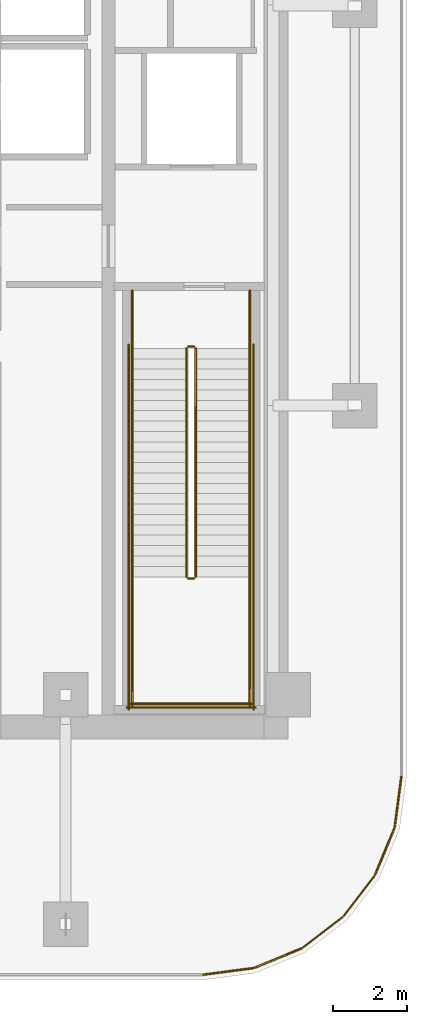
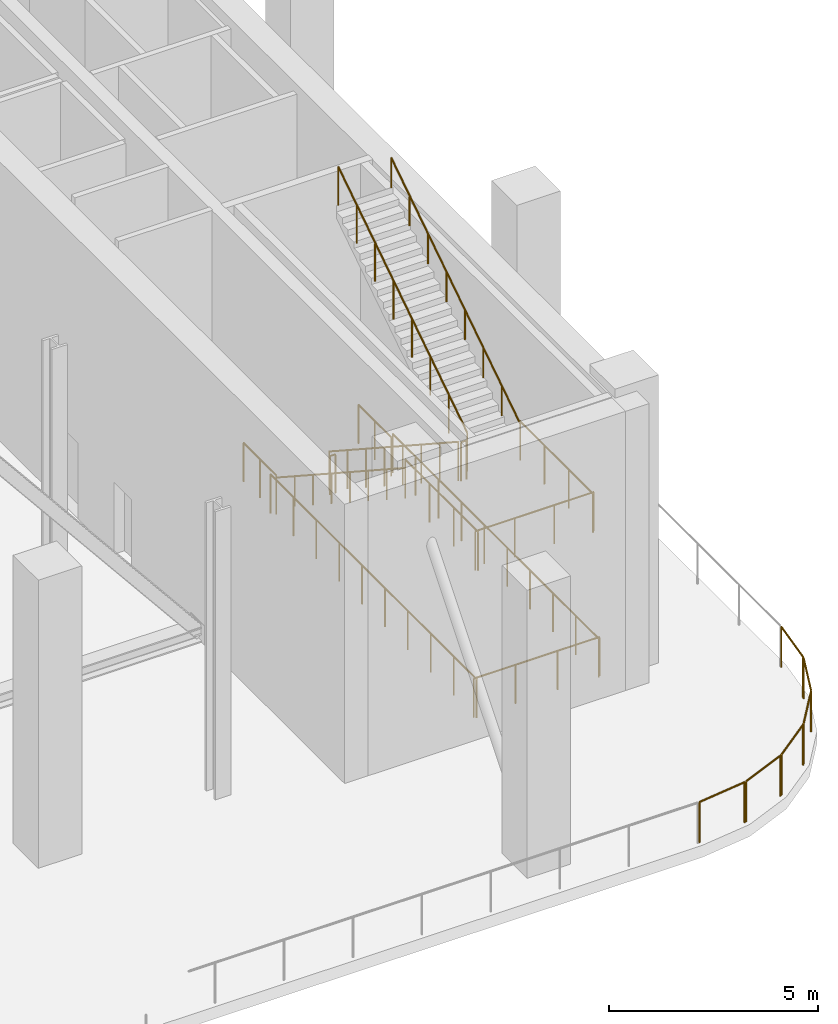
# One storey, part 10 of 13: 20 railings.
"""IFC4 building model written with IfcOpenShell, lengths in metres."""

from ifc_helpers import new_model, si_unit, direction, frame, origin, origin_2d, place, context, subcontext, project, spatial, circle, extrude, material, type_object, element, save


model = new_model("IFC4")

# Units and contexts
model_context = context("Model", 3, precision=1e-05, world=origin(), true_north=direction((0.0, 1.0)))
body_context = subcontext(model_context, "Body", "Model", "MODEL_VIEW")
ifc_project = project(units=[si_unit("LENGTHUNIT", "METRE"), si_unit("AREAUNIT", "SQUARE_METRE"), si_unit("VOLUMEUNIT", "CUBIC_METRE"), si_unit("PLANEANGLEUNIT", "RADIAN"), si_unit("MASSUNIT", "GRAM", prefix="KILO")], contexts=[model_context])

# Site, building, storey
site_placement = place(None, origin())
site = spatial("IfcSite", under=ifc_project, at=site_placement, CompositionType="ELEMENT")
building_placement = place(site_placement, origin())
building = spatial("IfcBuilding", under=site, at=building_placement, Name="Khairoan Windgate Tower", CompositionType="ELEMENT")
storey_placement = place(building_placement, frame((0.0, 0.0, 152.0)))
storey = spatial("IfcBuildingStorey", under=building, at=storey_placement, Name="L35", CompositionType="ELEMENT", Elevation=152.0)

# Railings
ifc_material_1 = material(Name="Anodised Bronze Aluminium 6063-T6", Category="aluminium")
railing_type_1 = type_object("IfcRailingType", Name="Aerodynamic Bronze-and-Glass Balustrade BAL-1200", PredefinedType="BALUSTRADE", material=ifc_material_1)
railing_1_placement = place(storey_placement, frame((23.456787109375, -20.815673828125, 0.0)))
element("IfcRailing", 1, at=railing_1_placement, inside=storey, type_object=railing_type_1, Name="L35 Wind-Slot Portal Perimeter Balustrade 23", PredefinedType="BALUSTRADE", context=body_context, shape_type="SweptSolid", body=[
    extrude(circle(Radius=0.02392578125, at=origin_2d()), frame((0.0, 0.0, 1.17578125), z_axis=(-0.130514966859, -0.991446339156, 0.0), x_axis=(0.991446339156, -0.130514966859, 0.0)), (0.0, 0.0, 1.0), 1.358154296875),
    extrude(circle(Radius=0.02099609375, at=origin_2d()), origin(), (0.0, 0.0, 1.0), 1.15185546875),
    extrude(circle(Radius=0.02099609375, at=origin_2d()), frame((-0.17724609375, -1.346435546875, 0.0)), (0.0, 0.0, 1.0), 1.15185546875),
])
railing_2_placement = place(storey_placement, frame((23.2666015625, -22.210205078125, 0.0)))
element("IfcRailing", 2, at=railing_2_placement, inside=storey, type_object=railing_type_1, Name="L35 Wind-Slot Portal Perimeter Balustrade 24", PredefinedType="BALUSTRADE", context=body_context, shape_type="SweptSolid", body=[
    extrude(circle(Radius=0.02392578125, at=origin_2d()), frame((0.0, 0.0, 1.17578125), z_axis=(-0.382660871212, -0.923888877324, 0.0), x_axis=(0.923888877324, -0.382660871212, 0.0)), (0.0, 0.0, 1.0), 1.3486328125),
    extrude(circle(Radius=0.02099609375, at=origin_2d()), origin(), (0.0, 0.0, 1.0), 1.15185546875),
    extrude(circle(Radius=0.02099609375, at=origin_2d()), frame((-0.51611328125, -1.24609375, 0.0)), (0.0, 0.0, 1.0), 1.15185546875),
])
railing_3_placement = place(storey_placement, frame((22.7255859375, -23.499267578125, 0.0)))
element("IfcRailing", 3, at=railing_3_placement, inside=storey, type_object=railing_type_1, Name="L35 Wind-Slot Portal Perimeter Balustrade 25", PredefinedType="BALUSTRADE", context=body_context, shape_type="SweptSolid", body=[
    extrude(circle(Radius=0.02392578125, at=origin_2d()), frame((0.0, 0.0, 1.17578125), z_axis=(-0.608651893578, -0.793437377771, 0.0), x_axis=(0.793437377771, -0.608651893578, 0.0)), (0.0, 0.0, 1.0), 1.348876953125),
    extrude(circle(Radius=0.02099609375, at=origin_2d()), origin(), (0.0, 0.0, 1.0), 1.15185546875),
    extrude(circle(Radius=0.02099609375, at=origin_2d()), frame((-0.821044921875, -1.0703125, 0.0)), (0.0, 0.0, 1.0), 1.15185546875),
])
railing_4_placement = place(storey_placement, frame((21.869384765625, -24.6044921875, 0.0)))
element("IfcRailing", 4, at=railing_4_placement, inside=storey, type_object=railing_type_1, Name="L35 Wind-Slot Portal Perimeter Balustrade 26", PredefinedType="BALUSTRADE", context=body_context, shape_type="SweptSolid", body=[
    extrude(circle(Radius=0.02392578125, at=origin_2d()), frame((0.0, 0.0, 1.17578125), z_axis=(-0.793370316216, -0.608739304914, 0.0), x_axis=(0.608739304914, -0.793370316216, 0.0)), (0.0, 0.0, 1.0), 1.348876953125),
    extrude(circle(Radius=0.02099609375, at=origin_2d()), origin(), (0.0, 0.0, 1.0), 1.15185546875),
    extrude(circle(Radius=0.02099609375, at=origin_2d()), frame((-1.070068359375, -0.821044921875, 0.0)), (0.0, 0.0, 1.0), 1.15185546875),
])
railing_5_placement = place(storey_placement, frame((20.75634765625, -25.450439453125, 0.0)))
element("IfcRailing", 5, at=railing_5_placement, inside=storey, type_object=railing_type_1, Name="L35 Wind-Slot Portal Perimeter Balustrade 27", PredefinedType="BALUSTRADE", context=body_context, shape_type="SweptSolid", body=[
    extrude(circle(Radius=0.02392578125, at=origin_2d()), frame((0.0, 0.0, 1.17578125), z_axis=(-0.923915376249, -0.382596886462, 0.0), x_axis=(0.382596886462, -0.923915376249, 0.0)), (0.0, 0.0, 1.0), 1.348876953125),
    extrude(circle(Radius=0.02099609375, at=origin_2d()), origin(), (0.0, 0.0, 1.0), 1.15185546875),
    extrude(circle(Radius=0.02099609375, at=origin_2d()), frame((-1.246337890625, -0.51611328125, 0.0)), (0.0, 0.0, 1.0), 1.15185546875),
])
railing_6_placement = place(storey_placement, frame((19.462158203125, -25.9794921875, 0.0)))
element("IfcRailing", 6, at=railing_6_placement, inside=storey, type_object=railing_type_1, Name="L35 Wind-Slot Portal Perimeter Balustrade 28", PredefinedType="BALUSTRADE", context=body_context, shape_type="SweptSolid", body=[
    extrude(circle(Radius=0.02392578125, at=origin_2d()), frame((0.0, 0.0, 1.17578125), z_axis=(-0.991449400613, -0.130491708638, 0.0), x_axis=(0.130491708638, -0.991449400613, 0.0)), (0.0, 0.0, 1.0), 1.3583984375),
    extrude(circle(Radius=0.02099609375, at=origin_2d()), origin(), (0.0, 0.0, 1.0), 1.15185546875),
    extrude(circle(Radius=0.02099609375, at=origin_2d()), frame((-1.3466796875, -0.17724609375, 0.0)), (0.0, 0.0, 1.0), 1.15185546875),
])
ifc_material_2 = material(Name="Anodised Bronze Aluminium 6063-T6", Category="aluminium")
railing_type_2 = type_object("IfcRailingType", Name="Stair Wall Handrail SHR-900", PredefinedType="HANDRAIL", material=ifc_material_2)
railing_7_placement = place(storey_placement, frame((16.199951171875, -9.260009765625, 0.1826171875)))
element("IfcRailing", 7, at=railing_7_placement, inside=storey, type_object=railing_type_2, Name="L35 ST1 stair handrail 1", PredefinedType="HANDRAIL", context=body_context, shape_type="SweptSolid", body=[
    extrude(circle(Radius=0.02392578125, at=origin_2d()), frame((0.0, 0.0, 0.8759765625), z_axis=(0.0, -0.837610596839, 0.546267780547), x_axis=(1.0, 0.0, 0.0)), (0.0, 0.0, 1.0), 7.354248046875),
    extrude(circle(Radius=0.02099609375, at=origin_2d()), origin(), (0.0, 0.0, 1.0), 0.851806640625),
    extrude(circle(Radius=0.02099609375, at=origin_2d()), frame((0.0, -0.8798828125, 0.573974609375)), (0.0, 0.0, 1.0), 0.851806640625),
    extrude(circle(Radius=0.02099609375, at=origin_2d()), frame((0.0, -1.760009765625, 1.147705078125)), (0.0, 0.0, 1.0), 0.851806640625),
    extrude(circle(Radius=0.02099609375, at=origin_2d()), frame((0.0, -2.639892578125, 1.7216796875)), (0.0, 0.0, 1.0), 0.851806640625),
    extrude(circle(Radius=0.02099609375, at=origin_2d()), frame((0.0, -3.52001953125, 2.295654296875)), (0.0, 0.0, 1.0), 0.851806640625),
    extrude(circle(Radius=0.02099609375, at=origin_2d()), frame((0.0, -4.39990234375, 2.86962890625)), (0.0, 0.0, 1.0), 0.851806640625),
    extrude(circle(Radius=0.02099609375, at=origin_2d()), frame((0.0, -5.280029296875, 3.443359375)), (0.0, 0.0, 1.0), 0.851806640625),
    extrude(circle(Radius=0.02099609375, at=origin_2d()), frame((0.0, -6.159912109375, 4.017333984375)), (0.0, 0.0, 1.0), 0.851806640625),
])
railing_8_placement = place(storey_placement, frame((19.3701171875, -15.419921875, 4.382568359375)))
element("IfcRailing", 8, at=railing_8_placement, inside=storey, type_object=railing_type_2, Name="L35 ST1 stair handrail 2", PredefinedType="HANDRAIL", context=body_context, shape_type="SweptSolid", body=[
    extrude(circle(Radius=0.02392578125, at=origin_2d()), frame((0.0, 0.0, 0.8759765625), z_axis=(0.0, 0.837610596839, 0.546267780547), x_axis=(-1.0, 0.0, 0.0)), (0.0, 0.0, 1.0), 7.354248046875),
    extrude(circle(Radius=0.02099609375, at=origin_2d()), origin(), (0.0, 0.0, 1.0), 0.851806640625),
    extrude(circle(Radius=0.02099609375, at=origin_2d()), frame((0.0, 0.8798828125, 0.573974609375)), (0.0, 0.0, 1.0), 0.851806640625),
    extrude(circle(Radius=0.02099609375, at=origin_2d()), frame((0.0, 1.760009765625, 1.147705078125)), (0.0, 0.0, 1.0), 0.851806640625),
    extrude(circle(Radius=0.02099609375, at=origin_2d()), frame((0.0, 2.639892578125, 1.7216796875)), (0.0, 0.0, 1.0), 0.851806640625),
    extrude(circle(Radius=0.02099609375, at=origin_2d()), frame((0.0, 3.52001953125, 2.295654296875)), (0.0, 0.0, 1.0), 0.851806640625),
    extrude(circle(Radius=0.02099609375, at=origin_2d()), frame((0.0, 4.39990234375, 2.86962890625)), (0.0, 0.0, 1.0), 0.851806640625),
    extrude(circle(Radius=0.02099609375, at=origin_2d()), frame((0.0, 5.280029296875, 3.443359375)), (0.0, 0.0, 1.0), 0.851806640625),
    extrude(circle(Radius=0.02099609375, at=origin_2d()), frame((0.0, 6.159912109375, 4.017333984375)), (0.0, 0.0, 1.0), 0.851806640625),
])
ifc_material_3 = material(Name="Steel S355", Category="steel")
railing_type_3 = type_object("IfcRailingType", Name="Stairwell Safety Guardrail SGR-1150", PredefinedType="GUARDRAIL", material=ifc_material_3)
railing_9_placement = place(storey_placement, frame((17.659912109375, -9.260009765625, 0.1826171875)))
element("IfcRailing", 9, at=railing_9_placement, inside=storey, type_object=railing_type_3, Name="L35 ST1 stair guard 1", PredefinedType="GUARDRAIL", context=body_context, shape_type="SweptSolid", body=[
    extrude(circle(Radius=0.02392578125, at=origin_2d()), frame((0.0, 0.0, 1.1259765625), z_axis=(0.0, -0.837610596839, 0.546267780547), x_axis=(1.0, 0.0, 0.0)), (0.0, 0.0, 1.0), 7.354248046875),
    extrude(circle(Radius=0.02099609375, at=origin_2d()), origin(), (0.0, 0.0, 1.0), 1.101806640625),
    extrude(circle(Radius=0.02099609375, at=origin_2d()), frame((0.0, -0.8798828125, 0.573974609375)), (0.0, 0.0, 1.0), 1.101806640625),
    extrude(circle(Radius=0.02099609375, at=origin_2d()), frame((0.0, -1.760009765625, 1.147705078125)), (0.0, 0.0, 1.0), 1.101806640625),
    extrude(circle(Radius=0.02099609375, at=origin_2d()), frame((0.0, -2.639892578125, 1.7216796875)), (0.0, 0.0, 1.0), 1.101806640625),
    extrude(circle(Radius=0.02099609375, at=origin_2d()), frame((0.0, -3.52001953125, 2.295654296875)), (0.0, 0.0, 1.0), 1.101806640625),
    extrude(circle(Radius=0.02099609375, at=origin_2d()), frame((0.0, -4.39990234375, 2.86962890625)), (0.0, 0.0, 1.0), 1.101806640625),
    extrude(circle(Radius=0.02099609375, at=origin_2d()), frame((0.0, -5.280029296875, 3.443359375)), (0.0, 0.0, 1.0), 1.101806640625),
    extrude(circle(Radius=0.02099609375, at=origin_2d()), frame((0.0, -6.159912109375, 4.017333984375)), (0.0, 0.0, 1.0), 1.101806640625),
])
railing_10_placement = place(storey_placement, frame((17.7099609375, -15.469970703125, 4.199951171875)))
element("IfcRailing", 10, at=railing_10_placement, inside=storey, type_object=railing_type_3, Name="L35 ST1 stair guard 2", PredefinedType="GUARDRAIL", context=body_context, shape_type="SweptSolid", body=[
    extrude(circle(Radius=0.02392578125, at=origin_2d()), frame((0.0, 0.0, 1.1259765625), z_axis=(1.0, 0.0, 0.0), x_axis=(0.0, 1.0, 0.0)), (0.0, 0.0, 1.0), 0.150146484375),
    extrude(circle(Radius=0.02099609375, at=origin_2d()), origin(), (0.0, 0.0, 1.0), 1.101806640625),
    extrude(circle(Radius=0.02099609375, at=origin_2d()), frame((0.150146484375, 0.0, 0.0)), (0.0, 0.0, 1.0), 1.101806640625),
])
for number, where, name in (
    (11, (16.199951171875, -15.419921875, 4.199951171875), "L35 ST1 stair guard 3"),
    (12, (19.3701171875, -15.419921875, 4.199951171875), "L35 ST1 stair guard 4"),
):
    element("IfcRailing", number, at=place(storey_placement, frame(where)), inside=storey, type_object=railing_type_3, Name=name, PredefinedType="GUARDRAIL", context=body_context, shape_type="SweptSolid", body=[
        extrude(circle(Radius=0.02392578125, at=origin_2d()), frame((0.0, 0.0, 1.1259765625), z_axis=(0.0, -1.0, 0.0), x_axis=(1.0, 0.0, 0.0)), (0.0, 0.0, 1.0), 3.47998046875),
        extrude(circle(Radius=0.02099609375, at=origin_2d()), origin(), (0.0, 0.0, 1.0), 1.101806640625),
        extrude(circle(Radius=0.02099609375, at=origin_2d()), frame((0.0, -1.159912109375, 0.0)), (0.0, 0.0, 1.0), 1.101806640625),
        extrude(circle(Radius=0.02099609375, at=origin_2d()), frame((0.0, -2.320068359375, 0.0)), (0.0, 0.0, 1.0), 1.101806640625),
        extrude(circle(Radius=0.02099609375, at=origin_2d()), frame((0.0, -3.47998046875, 0.0)), (0.0, 0.0, 1.0), 1.101806640625),
    ])
railing_11_placement = place(storey_placement, frame((16.14990234375, -18.85009765625, 4.199951171875)))
element("IfcRailing", 13, at=railing_11_placement, inside=storey, type_object=railing_type_3, Name="L35 ST1 stair guard 5", PredefinedType="GUARDRAIL", context=body_context, shape_type="SweptSolid", body=[
    extrude(circle(Radius=0.02392578125, at=origin_2d()), frame((0.0, 0.0, 1.1259765625), z_axis=(1.0, 0.0, 0.0), x_axis=(0.0, 1.0, 0.0)), (0.0, 0.0, 1.0), 3.27001953125),
    extrude(circle(Radius=0.02099609375, at=origin_2d()), origin(), (0.0, 0.0, 1.0), 1.101806640625),
    extrude(circle(Radius=0.02099609375, at=origin_2d()), frame((1.090087890625, 0.0, 0.0)), (0.0, 0.0, 1.0), 1.101806640625),
    extrude(circle(Radius=0.02099609375, at=origin_2d()), frame((2.179931640625, 0.0, 0.0)), (0.0, 0.0, 1.0), 1.101806640625),
    extrude(circle(Radius=0.02099609375, at=origin_2d()), frame((3.27001953125, 0.0, 0.0)), (0.0, 0.0, 1.0), 1.101806640625),
])
railing_12_placement = place(storey_placement, frame((17.909912109375, -15.419921875, 4.382568359375)))
element("IfcRailing", 14, at=railing_12_placement, inside=storey, type_object=railing_type_3, Name="L35 ST1 stair guard 6", PredefinedType="GUARDRAIL", context=body_context, shape_type="SweptSolid", body=[
    extrude(circle(Radius=0.02392578125, at=origin_2d()), frame((0.0, 0.0, 1.1259765625), z_axis=(0.0, 0.837610596839, 0.546267780547), x_axis=(-1.0, 0.0, 0.0)), (0.0, 0.0, 1.0), 7.354248046875),
    extrude(circle(Radius=0.02099609375, at=origin_2d()), origin(), (0.0, 0.0, 1.0), 1.101806640625),
    extrude(circle(Radius=0.02099609375, at=origin_2d()), frame((0.0, 0.8798828125, 0.573974609375)), (0.0, 0.0, 1.0), 1.101806640625),
    extrude(circle(Radius=0.02099609375, at=origin_2d()), frame((0.0, 1.760009765625, 1.147705078125)), (0.0, 0.0, 1.0), 1.101806640625),
    extrude(circle(Radius=0.02099609375, at=origin_2d()), frame((0.0, 2.639892578125, 1.7216796875)), (0.0, 0.0, 1.0), 1.101806640625),
    extrude(circle(Radius=0.02099609375, at=origin_2d()), frame((0.0, 3.52001953125, 2.295654296875)), (0.0, 0.0, 1.0), 1.101806640625),
    extrude(circle(Radius=0.02099609375, at=origin_2d()), frame((0.0, 4.39990234375, 2.86962890625)), (0.0, 0.0, 1.0), 1.101806640625),
    extrude(circle(Radius=0.02099609375, at=origin_2d()), frame((0.0, 5.280029296875, 3.443359375)), (0.0, 0.0, 1.0), 1.101806640625),
    extrude(circle(Radius=0.02099609375, at=origin_2d()), frame((0.0, 6.159912109375, 4.017333984375)), (0.0, 0.0, 1.0), 1.101806640625),
])
railing_13_placement = place(storey_placement, frame((17.7099609375, -9.2099609375, 0.0)))
element("IfcRailing", 15, at=railing_13_placement, inside=storey, type_object=railing_type_3, Name="L35 ST1 stair guard 7", PredefinedType="GUARDRAIL", context=body_context, shape_type="SweptSolid", body=[
    extrude(circle(Radius=0.02392578125, at=origin_2d()), frame((0.0, 0.0, 1.1259765625), z_axis=(1.0, 0.0, 0.0), x_axis=(0.0, 1.0, 0.0)), (0.0, 0.0, 1.0), 0.150146484375),
    extrude(circle(Radius=0.02099609375, at=origin_2d()), origin(), (0.0, 0.0, 1.0), 1.101806640625),
    extrude(circle(Radius=0.02099609375, at=origin_2d()), frame((0.150146484375, 0.0, 0.0)), (0.0, 0.0, 1.0), 1.101806640625),
])
for number, where, name in (
    (16, (16.199951171875, -7.699951171875, 0.0), "L35 ST1 stair guard 8"),
    (17, (19.3701171875, -7.699951171875, 0.0), "L35 ST1 stair guard 9"),
):
    element("IfcRailing", number, at=place(storey_placement, frame(where)), inside=storey, type_object=railing_type_3, Name=name, PredefinedType="GUARDRAIL", context=body_context, shape_type="SweptSolid", body=[
        extrude(circle(Radius=0.02392578125, at=origin_2d()), frame((0.0, 0.0, 1.1259765625), z_axis=(0.0, -1.0, 0.0), x_axis=(1.0, 0.0, 0.0)), (0.0, 0.0, 1.0), 1.56005859375),
        extrude(circle(Radius=0.02099609375, at=origin_2d()), origin(), (0.0, 0.0, 1.0), 1.101806640625),
        extrude(circle(Radius=0.02099609375, at=origin_2d()), frame((0.0, -0.780029296875, 0.0)), (0.0, 0.0, 1.0), 1.101806640625),
        extrude(circle(Radius=0.02099609375, at=origin_2d()), frame((0.0, -1.56005859375, 0.0)), (0.0, 0.0, 1.0), 1.101806640625),
    ])
for number, where, name in (
    (18, (16.10009765625, -9.159912109375, 0.0), "L35 ST1 stair guard 10"),
    (19, (19.469970703125, -9.159912109375, 0.0), "L35 ST1 stair guard 11"),
):
    element("IfcRailing", number, at=place(storey_placement, frame(where)), inside=storey, type_object=railing_type_3, Name=name, PredefinedType="GUARDRAIL", context=body_context, shape_type="SweptSolid", body=[
        extrude(circle(Radius=0.02392578125, at=origin_2d()), frame((0.0, 0.0, 1.1259765625), z_axis=(0.0, -1.0, 0.0), x_axis=(1.0, 0.0, 0.0)), (0.0, 0.0, 1.0), 9.840087890625),
        extrude(circle(Radius=0.02099609375, at=origin_2d()), origin(), (0.0, 0.0, 1.0), 1.101806640625),
        extrude(circle(Radius=0.02099609375, at=origin_2d()), frame((0.0, -1.09326171875, 0.0)), (0.0, 0.0, 1.0), 1.101806640625),
        extrude(circle(Radius=0.02099609375, at=origin_2d()), frame((0.0, -2.186767578125, 0.0)), (0.0, 0.0, 1.0), 1.101806640625),
        extrude(circle(Radius=0.02099609375, at=origin_2d()), frame((0.0, -3.280029296875, 0.0)), (0.0, 0.0, 1.0), 1.101806640625),
        extrude(circle(Radius=0.02099609375, at=origin_2d()), frame((0.0, -4.373291015625, 0.0)), (0.0, 0.0, 1.0), 1.101806640625),
        extrude(circle(Radius=0.02099609375, at=origin_2d()), frame((0.0, -5.466796875, 0.0)), (0.0, 0.0, 1.0), 1.101806640625),
        extrude(circle(Radius=0.02099609375, at=origin_2d()), frame((0.0, -6.56005859375, 0.0)), (0.0, 0.0, 1.0), 1.101806640625),
        extrude(circle(Radius=0.02099609375, at=origin_2d()), frame((0.0, -7.6533203125, 0.0)), (0.0, 0.0, 1.0), 1.101806640625),
        extrude(circle(Radius=0.02099609375, at=origin_2d()), frame((0.0, -8.746826171875, 0.0)), (0.0, 0.0, 1.0), 1.101806640625),
        extrude(circle(Radius=0.02099609375, at=origin_2d()), frame((0.0, -9.840087890625, 0.0)), (0.0, 0.0, 1.0), 1.101806640625),
    ])
railing_14_placement = place(storey_placement, frame((16.050048828125, -18.949951171875, 0.0)))
element("IfcRailing", 20, at=railing_14_placement, inside=storey, type_object=railing_type_3, Name="L35 ST1 stair guard 12", PredefinedType="GUARDRAIL", context=body_context, shape_type="SweptSolid", body=[
    extrude(circle(Radius=0.02392578125, at=origin_2d()), frame((0.0, 0.0, 1.1259765625), z_axis=(1.0, 0.0, 0.0), x_axis=(0.0, 1.0, 0.0)), (0.0, 0.0, 1.0), 3.469970703125),
    extrude(circle(Radius=0.02099609375, at=origin_2d()), origin(), (0.0, 0.0, 1.0), 1.101806640625),
    extrude(circle(Radius=0.02099609375, at=origin_2d()), frame((1.15673828125, 0.0, 0.0)), (0.0, 0.0, 1.0), 1.101806640625),
    extrude(circle(Radius=0.02099609375, at=origin_2d()), frame((2.313232421875, 0.0, 0.0)), (0.0, 0.0, 1.0), 1.101806640625),
    extrude(circle(Radius=0.02099609375, at=origin_2d()), frame((3.469970703125, 0.0, 0.0)), (0.0, 0.0, 1.0), 1.101806640625),
])

save(model, "model.ifc")
